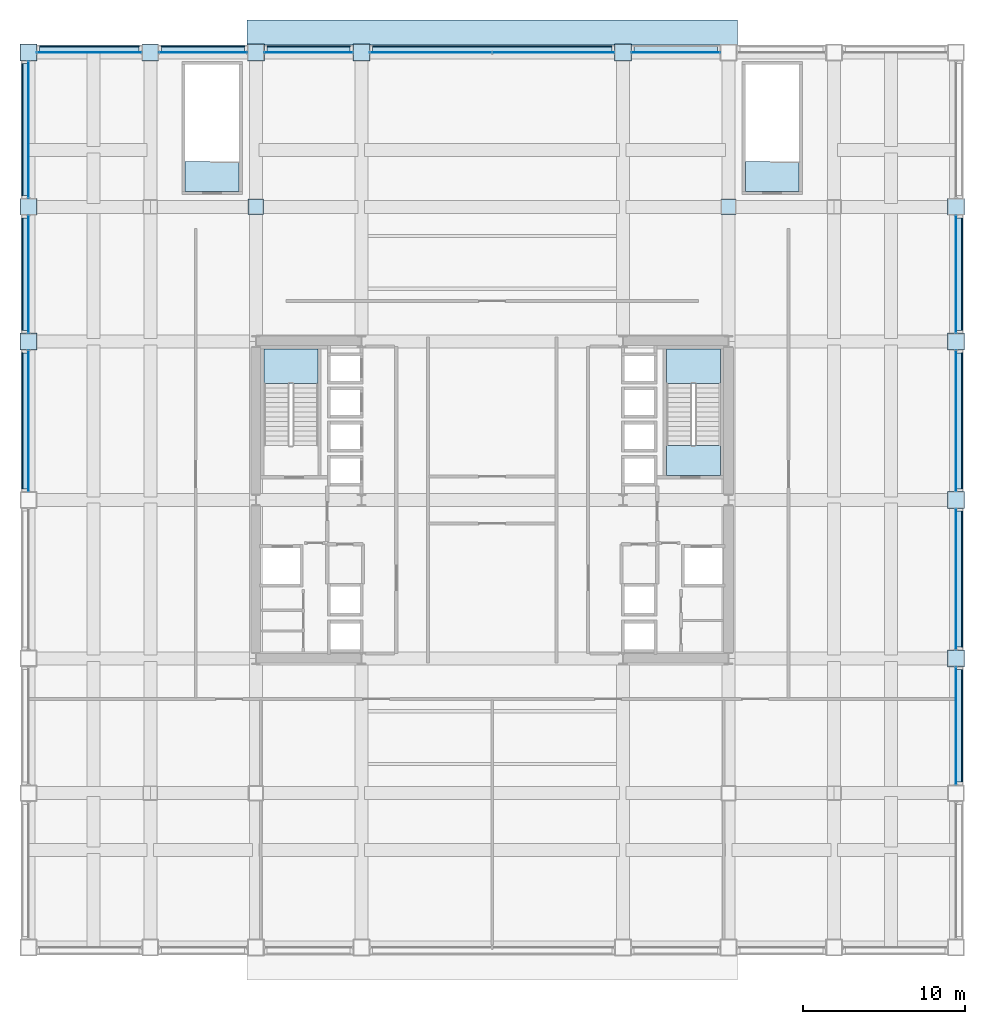
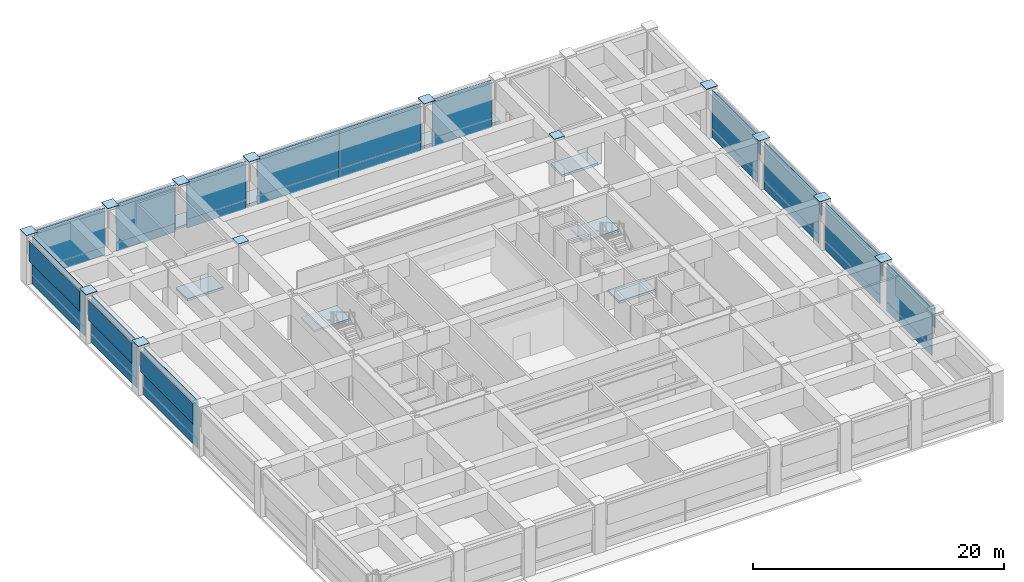
# One storey, part 25 of 30: 62 plates, 6 slabs, 14 elements without a shape of their own.
"""IFC4 building model written with IfcOpenShell, lengths in metres."""

import ifcopenshell
import ifcopenshell.guid

model = None  # the IFC model being written
_history = None  # IfcOwnerHistory: only IFC2X3 demands one
_inside = {}  # id of a spatial element -> (the spatial element, [elements in it])
_under = {}  # id of a project, library or spatial element -> (it, [spatial elements below it])
_declared = {}  # id of a project -> (the project, [libraries it declares])
_typed = {}  # id of a type object -> (the type object, [elements of that type])
_made_of = {}  # id of a material, layer set ... -> (it, [elements and type objects made of it])


def new_model(schema):
    """Start an empty IFC model of exactly this schema.

    Asked for "IFC4X3", IfcOpenShell would pick the latest addendum, in which some entities
    have other attributes; the version numbers below select the first issue.
    IFC2X3 requires an IfcOwnerHistory on every rooted entity: one is made here for all.
    """
    global model, _history
    if schema == "IFC4X3":
        model = ifcopenshell.file(schema_version=(4, 3, 0, 0))
    else:
        model = ifcopenshell.file(schema=schema)
    _inside.clear()
    _under.clear()
    _declared.clear()
    _typed.clear()
    _made_of.clear()
    _history = None
    if model.schema == "IFC2X3":
        org = make("IfcOrganization", Name="unknown")
        user = make(
            "IfcPersonAndOrganization",
            ThePerson=make("IfcPerson", FamilyName="unknown"),
            TheOrganization=org,
        )
        app = make(
            "IfcApplication",
            ApplicationDeveloper=org,
            Version="unknown",
            ApplicationFullName="unknown",
            ApplicationIdentifier="unknown",
        )
        _history = make(
            "IfcOwnerHistory",
            OwningUser=user,
            OwningApplication=app,
            ChangeAction="ADDED",
            CreationDate=0,
        )
    return model


def make(cls, **values):
    """One entity of the class cls with the attributes given. An attribute that is None is left unset."""
    return model.create_entity(
        cls, **{name: value for name, value in values.items() if value is not None}
    )


def rooted(cls, **values):
    """An entity with a GlobalId (a new one), such as an element, a storey or a relation."""
    return make(cls, GlobalId=ifcopenshell.guid.new(), OwnerHistory=_history, **values)


def si_unit(unit_type, name, prefix=None):
    """IfcSIUnit, for example si_unit("LENGTHUNIT", "METRE", prefix="MILLI")."""
    return make("IfcSIUnit", UnitType=unit_type, Prefix=prefix, Name=name)


def assignment(units):
    """IfcUnitAssignment: the units of a project."""
    return None if units is None else make("IfcUnitAssignment", Units=units)


def point(xyz):
    """IfcCartesianPoint."""
    return None if xyz is None else make("IfcCartesianPoint", Coordinates=xyz)


def direction(xyz):
    """IfcDirection."""
    return None if xyz is None else make("IfcDirection", DirectionRatios=xyz)


def frame(location, z_axis=None, x_axis=None):
    """IfcAxis2Placement3D, a coordinate frame: its origin and axes. An axis left out is left unset."""
    return make(
        "IfcAxis2Placement3D",
        Location=point(location),
        Axis=direction(z_axis),
        RefDirection=direction(x_axis),
    )


def frame_2d(location, x_axis=None):
    """IfcAxis2Placement2D, a coordinate frame in the plane: its origin and x axis."""
    return make(
        "IfcAxis2Placement2D", Location=point(location), RefDirection=direction(x_axis)
    )


def origin():
    """The frame at (0, 0, 0) with its axes left unset."""
    return frame((0.0, 0.0, 0.0))


def origin_2d():
    """The frame at (0, 0) in the plane with its x axis left unset."""
    return frame_2d((0.0, 0.0))


def place(relative_to, where):
    """IfcLocalPlacement: puts the frame where relative to a parent placement (None: the world)."""
    return make(
        "IfcLocalPlacement", PlacementRelTo=relative_to, RelativePlacement=where
    )


def context(
    kind, dimensions, precision=None, world=None, true_north=None, identifier=None
):
    """IfcGeometricRepresentationContext, for example the 3D "Model" context."""
    return make(
        "IfcGeometricRepresentationContext",
        ContextIdentifier=identifier,
        ContextType=kind,
        CoordinateSpaceDimension=dimensions,
        Precision=precision,
        WorldCoordinateSystem=world,
        TrueNorth=true_north,
    )


def subcontext(parent, identifier, kind, view, scale=None):
    """IfcGeometricRepresentationSubContext, for example "Body" below "Model"."""
    return make(
        "IfcGeometricRepresentationSubContext",
        ContextIdentifier=identifier,
        ContextType=kind,
        ParentContext=parent,
        TargetScale=scale,
        TargetView=view,
    )


def project(units=None, contexts=None):
    """IfcProject with its units and contexts."""
    return rooted(
        "IfcProject",
        Name="project",
        RepresentationContexts=contexts,
        UnitsInContext=assignment(units),
    )


def spatial(cls, under=None, at=None, **own):
    """A site, building, storey or space (cls), placed at a placement, below another one or the project."""
    s = rooted(cls, ObjectPlacement=at, **own)
    if under is not None:
        _under.setdefault(under.id(), (under, []))[1].append(s)
    return s


def polyline(points):
    """IfcPolyline through the points."""
    return make("IfcPolyline", Points=[point(p) for p in points])


def profile(cls, at=None, kind="AREA", **sizes):
    """A parametric profile (cls). Its sizes go by their IFC names, for example OverallWidth=200.0."""
    return make(cls, ProfileType=kind, Position=at, **sizes)


def rectangle(**sizes):
    """IfcRectangleProfileDef."""
    return profile("IfcRectangleProfileDef", **sizes)


def outline(outer, holes=None, kind="AREA"):
    """IfcArbitraryClosedProfileDef: a profile drawn as a closed curve; with holes, ...WithVoids."""
    if holes is None:
        return make("IfcArbitraryClosedProfileDef", ProfileType=kind, OuterCurve=outer)
    return make(
        "IfcArbitraryProfileDefWithVoids",
        ProfileType=kind,
        OuterCurve=outer,
        InnerCurves=holes,
    )


def extrude(swept, where, along, depth):
    """IfcExtrudedAreaSolid: the profile swept, set in the frame where, extruded along a direction by depth."""
    return make(
        "IfcExtrudedAreaSolid",
        SweptArea=swept,
        Position=where,
        ExtrudedDirection=direction(along),
        Depth=depth,
    )


def shape(context_of_items, identifier, shape_type, items):
    """IfcShapeRepresentation: the items that make up one representation, for example the "Body"."""
    return make(
        "IfcShapeRepresentation",
        ContextOfItems=context_of_items,
        RepresentationIdentifier=identifier,
        RepresentationType=shape_type,
        Items=items,
    )


def material(Name=None, Category=None):
    """IfcMaterial."""
    return make("IfcMaterial", Name=Name, Category=Category)


def layer(
    of_material, thickness, ventilated=None, Name=None, Category=None, Priority=None
):
    """IfcMaterialLayer: one layer of a wall or slab, of a material (None: an air gap)."""
    return make(
        "IfcMaterialLayer",
        Material=of_material,
        LayerThickness=thickness,
        IsVentilated=ventilated,
        Name=Name,
        Category=Category,
        Priority=Priority,
    )


def layer_set(layers, Name=None):
    """IfcMaterialLayerSet."""
    return make("IfcMaterialLayerSet", MaterialLayers=layers, LayerSetName=Name)


def made_of(thing, what):
    """Note that an element or type object is made of a material, layer set ...; save() writes the relation."""
    if what is not None:
        _made_of.setdefault(what.id(), (what, []))[1].append(thing)
    return thing


def type_object(cls, material=None, **own):
    """A type object (cls), such as IfcWallType, which elements share."""
    return made_of(rooted(cls, **own), material)


def element(
    cls,
    number,
    at=None,
    inside=None,
    cuts=None,
    type_object=None,
    material=None,
    context=None,
    identifier="Body",
    shape_type=None,
    held_by="IfcProductDefinitionShape",
    body=None,
    shapes=None,
    **own,
):
    """One element of the class cls, such as IfcWall. Its Tag is "e" and its number.

    at: its placement. inside: the storey or other place that contains it. cuts: it is an
    opening in that element (IfcRelVoidsElement). A single representation is given by context,
    identifier, shape_type and body (its items); several are given by shapes. held_by: the class
    of the entity that holds the representations. save() writes the other relations.
    """
    e = rooted(cls, Tag="e%d" % number, ObjectPlacement=at, **own)
    if body is not None:
        shapes = [shape(context, identifier, shape_type, body)]
    if shapes is not None:
        e.Representation = make(held_by, Representations=shapes)
    if inside is not None:
        _inside.setdefault(inside.id(), (inside, []))[1].append(e)
    if cuts is not None:
        rooted(
            "IfcRelVoidsElement", RelatingBuildingElement=cuts, RelatedOpeningElement=e
        )
    if type_object is not None:
        _typed.setdefault(type_object.id(), (type_object, []))[1].append(e)
    return made_of(e, material)


def aggregate(whole, parts):
    """IfcRelAggregates: a whole, such as a stair, and the parts it consists of."""
    return rooted("IfcRelAggregates", RelatingObject=whole, RelatedObjects=parts)


def save(model, path):
    """Write the relations noted so far, then the file.

    IfcRelAggregates (storeys below a building ...), IfcRelContainedInSpatialStructure (elements
    in a storey), IfcRelDefinesByType, IfcRelAssociatesMaterial and IfcRelDeclares: one each for
    every whole, place, type object, material and project.
    """
    for whole, parts in _under.values():
        aggregate(whole, parts)
    for where, things in _inside.values():
        rooted(
            "IfcRelContainedInSpatialStructure",
            RelatedElements=things,
            RelatingStructure=where,
        )
    for kind, things in _typed.values():
        rooted("IfcRelDefinesByType", RelatedObjects=things, RelatingType=kind)
    for what, things in _made_of.values():
        rooted("IfcRelAssociatesMaterial", RelatedObjects=things, RelatingMaterial=what)
    for by, libraries in _declared.values():
        rooted("IfcRelDeclares", RelatingContext=by, RelatedDefinitions=libraries)
    model.write(path)


model = new_model("IFC4")

# Units and contexts
model_context = context("Model", 3, precision=1e-05, world=origin(), true_north=direction((0.0, 1.0)))
body_context = subcontext(model_context, "Body", "Model", "MODEL_VIEW")
ifc_project = project(units=[si_unit("LENGTHUNIT", "METRE"), si_unit("AREAUNIT", "SQUARE_METRE"), si_unit("VOLUMEUNIT", "CUBIC_METRE"), si_unit("PLANEANGLEUNIT", "RADIAN"), si_unit("MASSUNIT", "GRAM", prefix="KILO")], contexts=[model_context])

# Site, building, storey
site_placement = place(None, origin())
site = spatial("IfcSite", under=ifc_project, at=site_placement, CompositionType="ELEMENT")
building_placement = place(site_placement, origin())
building = spatial("IfcBuilding", under=site, at=building_placement, Name="Brelmoor Portico Tower", CompositionType="ELEMENT")
storey_placement = place(building_placement, frame((0.0, 0.0, 19.199951171875)))
storey = spatial("IfcBuildingStorey", under=building, at=storey_placement, Name="L04", CompositionType="ELEMENT", Elevation=19.199951171875)

# Plates
ifc_material_1 = material(Name="Steel Q355B", Category="steel")
ifc_layer_1 = layer(ifc_material_1, 0.044921875)
ifc_layer_set_1 = layer_set([ifc_layer_1], Name="Steel Q355B")
plate_type_1 = type_object("IfcPlateType", Name="PT-CAP-650", PredefinedType="SHEET", material=ifc_layer_set_1)
for number, where, z_axis, x_axis, name in (
    (1, (-14.550048828125, 18.050048828125, 4.800048828125), (0.0, 0.0, 1.0), (1.0, 0.0, 0.0), "L04 Podium Pier Column PP-NW2 Welded Head Cap Plate"),
    (2, (14.550048828125, 18.050048828125, 4.800048828125), (0.0, 0.0, 1.0), (1.0, 0.0, 0.0), "L04 Podium Pier Column PP-NE1 Welded Head Cap Plate"),
):
    element("IfcPlate", number, at=place(storey_placement, frame(where, z_axis=z_axis, x_axis=x_axis)), inside=storey, type_object=plate_type_1, Name=name, PredefinedType="SHEET", context=body_context, shape_type="SweptSolid", body=[
        extrude(rectangle(XDim=0.93994140625, YDim=0.93994140625, at=origin_2d()), origin(), (0.0, 0.0, 1.0), 0.0400390625),
    ])
for number, where, z_axis, x_axis, name in (
    (3, (-28.550048828125, 27.550048828125, 4.800048828125), (0.0, 0.0, 1.0), (1.0, 0.0, 0.0), "L04 Perimeter Mega-Column PN09 Welded Head Cap Plate"),
    (4, (-21.050048828125, 27.550048828125, 4.800048828125), (0.0, 0.0, 1.0), (1.0, 0.0, 0.0), "L04 Perimeter Mega-Column PN10 Welded Head Cap Plate"),
    (5, (-14.550048828125, 27.550048828125, 4.800048828125), (0.0, 0.0, 1.0), (1.0, 0.0, 0.0), "L04 Perimeter Mega-Column PN11 Welded Head Cap Plate"),
    (6, (-8.050048828125, 27.550048828125, 4.800048828125), (0.0, 0.0, 1.0), (1.0, 0.0, 0.0), "L04 Perimeter Mega-Column PN12 Welded Head Cap Plate"),
    (7, (8.050048828125, 27.550048828125, 4.800048828125), (0.0, 0.0, 1.0), (1.0, 0.0, 0.0), "L04 Perimeter Mega-Column PN13 Welded Head Cap Plate"),
    (8, (28.550048828125, -9.75, 4.800048828125), (0.0, 0.0, 1.0), (0.0, 1.0, 0.0), "L04 Perimeter Mega-Column PE20 Welded Head Cap Plate"),
    (9, (28.550048828125, 0.0, 4.800048828125), (0.0, 0.0, 1.0), (0.0, 1.0, 0.0), "L04 Perimeter Mega-Column PE22 Welded Head Cap Plate"),
    (10, (-28.550048828125, 9.75, 4.800048828125), (0.0, 0.0, 1.0), (0.0, 1.0, 0.0), "L04 Perimeter Mega-Column PW23 Welded Head Cap Plate"),
    (11, (28.550048828125, 9.75, 4.800048828125), (0.0, 0.0, 1.0), (0.0, 1.0, 0.0), "L04 Perimeter Mega-Column PE24 Welded Head Cap Plate"),
    (12, (-28.550048828125, 18.050048828125, 4.800048828125), (0.0, 0.0, 1.0), (0.0, 1.0, 0.0), "L04 Perimeter Mega-Column PW25 Welded Head Cap Plate"),
    (13, (28.550048828125, 18.050048828125, 4.800048828125), (0.0, 0.0, 1.0), (0.0, 1.0, 0.0), "L04 Perimeter Mega-Column PE26 Welded Head Cap Plate"),
):
    element("IfcPlate", number, at=place(storey_placement, frame(where, z_axis=z_axis, x_axis=x_axis)), inside=storey, type_object=plate_type_1, Name=name, PredefinedType="SHEET", context=body_context, shape_type="SweptSolid", body=[
        extrude(rectangle(XDim=1.0400390625, YDim=1.0400390625, at=origin_2d()), origin(), (0.0, 0.0, 1.0), 0.0400390625),
    ])

# Curtain wall, plate
ifc_material_2 = material(Name="Anodised Aluminium Alloy 6063-T6", Category="aluminium")
ifc_layer_2 = layer(ifc_material_2, 0.179931640625)
ifc_layer_set_2 = layer_set([ifc_layer_2], Name="Anodised Aluminium Alloy 6063-T6")
curtain_wall_type = type_object("IfcCurtainWallType", Name="CW-PODIUM-ARCH", PredefinedType="NOTDEFINED", material=ifc_layer_set_2)
curtain_wall_1_placement = place(storey_placement, origin())
curtain_wall_1 = element("IfcCurtainWall", 14, at=curtain_wall_1_placement, inside=storey, type_object=curtain_wall_type, Name="L04 Curtain Wall CW-L04-02-1", PredefinedType="NOTDEFINED")
ifc_material_3 = material(Name="Double-Silver Low-E Insulated Glazing", Category="glass")
ifc_layer_3 = layer(ifc_material_3, 0.035888671875)
ifc_layer_set_3 = layer_set([ifc_layer_3], Name="Double-Silver Low-E Insulated Glazing")
plate_type_2 = type_object("IfcPlateType", Name="PT-CW-GLASS", PredefinedType="CURTAIN_PANEL", material=ifc_layer_set_3)
plate_1_placement = place(storey_placement, frame((-24.800048828125, 27.550048828125, 0.85009765625), z_axis=(0.0, 0.0, 1.0), x_axis=(1.0, 0.0, 0.0)))
plate_1 = element("IfcPlate", 15, at=plate_1_placement, type_object=plate_type_2, Name="CW-L04-02-1 Vision Glass Panel 00", PredefinedType="CURTAIN_PANEL", context=body_context, shape_type="SweptSolid", body=[
    extrude(rectangle(XDim=6.449951171875, YDim=0.035888671875, at=origin_2d()), origin(), (0.0, 0.0, 1.0), 3.75),
])

curtain_wall_2_placement = place(storey_placement, origin())
curtain_wall_2 = element("IfcCurtainWall", 16, at=curtain_wall_2_placement, inside=storey, type_object=curtain_wall_type, Name="L04 Curtain Wall CW-L04-02-2", PredefinedType="NOTDEFINED")
plate_2_placement = place(storey_placement, frame((-17.800048828125, 27.550048828125, 0.85009765625), z_axis=(0.0, 0.0, 1.0), x_axis=(1.0, 0.0, 0.0)))
plate_2 = element("IfcPlate", 17, at=plate_2_placement, type_object=plate_type_2, Name="CW-L04-02-2 Vision Glass Panel 00", PredefinedType="CURTAIN_PANEL", context=body_context, shape_type="SweptSolid", body=[
    extrude(rectangle(XDim=5.449951171875, YDim=0.035888671875, at=origin_2d()), origin(), (0.0, 0.0, 1.0), 3.75),
])

curtain_wall_3_placement = place(storey_placement, origin())
curtain_wall_3 = element("IfcCurtainWall", 18, at=curtain_wall_3_placement, inside=storey, type_object=curtain_wall_type, Name="L04 Curtain Wall CW-L04-02-3", PredefinedType="NOTDEFINED")
plate_3_placement = place(storey_placement, frame((-11.300048828125, 27.550048828125, 0.85009765625), z_axis=(0.0, 0.0, 1.0), x_axis=(1.0, 0.0, 0.0)))
plate_3 = element("IfcPlate", 19, at=plate_3_placement, type_object=plate_type_2, Name="CW-L04-02-3 Vision Glass Panel 00", PredefinedType="CURTAIN_PANEL", context=body_context, shape_type="SweptSolid", body=[
    extrude(rectangle(XDim=5.449951171875, YDim=0.035888671875, at=origin_2d()), origin(), (0.0, 0.0, 1.0), 3.75),
])

# Curtain wall, plates
curtain_wall_4_placement = place(storey_placement, origin())
curtain_wall_4 = element("IfcCurtainWall", 20, at=curtain_wall_4_placement, inside=storey, type_object=curtain_wall_type, Name="L04 Curtain Wall CW-L04-02-4", PredefinedType="NOTDEFINED")
plate_4_placement = place(storey_placement, frame((-3.77001953125, 27.550048828125, 0.85009765625), z_axis=(0.0, 0.0, 1.0), x_axis=(1.0, 0.0, 0.0)))
plate_4 = element("IfcPlate", 21, at=plate_4_placement, type_object=plate_type_2, Name="CW-L04-02-4 Vision Glass Panel 00", PredefinedType="CURTAIN_PANEL", context=body_context, shape_type="SweptSolid", body=[
    extrude(rectangle(XDim=7.510009765625, YDim=0.035888671875, at=origin_2d()), origin(), (0.0, 0.0, 1.0), 3.75),
])
plate_5_placement = place(storey_placement, frame((3.77001953125, 27.550048828125, 0.85009765625), z_axis=(0.0, 0.0, 1.0), x_axis=(1.0, 0.0, 0.0)))
plate_5 = element("IfcPlate", 22, at=plate_5_placement, type_object=plate_type_2, Name="CW-L04-02-4 Vision Glass Panel 01", PredefinedType="CURTAIN_PANEL", context=body_context, shape_type="SweptSolid", body=[
    extrude(rectangle(XDim=7.510009765625, YDim=0.035888671875, at=origin_2d()), origin(), (0.0, 0.0, 1.0), 3.75),
])

# Curtain wall, plate
curtain_wall_5_placement = place(storey_placement, origin())
curtain_wall_5 = element("IfcCurtainWall", 23, at=curtain_wall_5_placement, inside=storey, type_object=curtain_wall_type, Name="L04 Curtain Wall CW-L04-02-5", PredefinedType="NOTDEFINED")
plate_6_placement = place(storey_placement, frame((11.300048828125, 27.550048828125, 0.85009765625), z_axis=(0.0, 0.0, 1.0), x_axis=(1.0, 0.0, 0.0)))
plate_6 = element("IfcPlate", 24, at=plate_6_placement, type_object=plate_type_2, Name="CW-L04-02-5 Vision Glass Panel 00", PredefinedType="CURTAIN_PANEL", context=body_context, shape_type="SweptSolid", body=[
    extrude(rectangle(XDim=5.449951171875, YDim=0.035888671875, at=origin_2d()), origin(), (0.0, 0.0, 1.0), 3.75),
])

curtain_wall_6_placement = place(storey_placement, origin())
curtain_wall_6 = element("IfcCurtainWall", 25, at=curtain_wall_6_placement, inside=storey, type_object=curtain_wall_type, Name="L04 Curtain Wall CW-L04-03-4", PredefinedType="NOTDEFINED")
plate_7_placement = place(storey_placement, frame((-28.550048828125, 4.875, 0.85009765625), z_axis=(0.0, 0.0, 1.0), x_axis=(0.0, 1.0, 0.0)))
plate_7 = element("IfcPlate", 26, at=plate_7_placement, type_object=plate_type_2, Name="CW-L04-03-4 Vision Glass Panel 00", PredefinedType="CURTAIN_PANEL", context=body_context, shape_type="SweptSolid", body=[
    extrude(rectangle(XDim=8.699951171875, YDim=0.035888671875, at=origin_2d()), origin(), (0.0, 0.0, 1.0), 3.75),
])

curtain_wall_7_placement = place(storey_placement, origin())
curtain_wall_7 = element("IfcCurtainWall", 27, at=curtain_wall_7_placement, inside=storey, type_object=curtain_wall_type, Name="L04 Curtain Wall CW-L04-03-5", PredefinedType="NOTDEFINED")
plate_8_placement = place(storey_placement, frame((-28.550048828125, 13.89990234375, 0.85009765625), z_axis=(0.0, 0.0, 1.0), x_axis=(0.0, 1.0, 0.0)))
plate_8 = element("IfcPlate", 28, at=plate_8_placement, type_object=plate_type_2, Name="CW-L04-03-5 Vision Glass Panel 00", PredefinedType="CURTAIN_PANEL", context=body_context, shape_type="SweptSolid", body=[
    extrude(rectangle(XDim=7.25, YDim=0.035888671875, at=origin_2d()), origin(), (0.0, 0.0, 1.0), 3.75),
])

curtain_wall_8_placement = place(storey_placement, origin())
curtain_wall_8 = element("IfcCurtainWall", 29, at=curtain_wall_8_placement, inside=storey, type_object=curtain_wall_type, Name="L04 Curtain Wall CW-L04-03-6", PredefinedType="NOTDEFINED")
plate_9_placement = place(storey_placement, frame((-28.550048828125, 22.800048828125, 0.85009765625), z_axis=(0.0, 0.0, 1.0), x_axis=(0.0, 1.0, 0.0)))
plate_9 = element("IfcPlate", 30, at=plate_9_placement, type_object=plate_type_2, Name="CW-L04-03-6 Vision Glass Panel 00", PredefinedType="CURTAIN_PANEL", context=body_context, shape_type="SweptSolid", body=[
    extrude(rectangle(XDim=8.449951171875, YDim=0.035888671875, at=origin_2d()), origin(), (0.0, 0.0, 1.0), 3.75),
])

curtain_wall_9_placement = place(storey_placement, origin())
curtain_wall_9 = element("IfcCurtainWall", 31, at=curtain_wall_9_placement, inside=storey, type_object=curtain_wall_type, Name="L04 Curtain Wall CW-L04-04-2", PredefinedType="NOTDEFINED")
plate_10_placement = place(storey_placement, frame((28.550048828125, -13.89990234375, 0.85009765625), z_axis=(0.0, 0.0, 1.0), x_axis=(0.0, 1.0, 0.0)))
plate_10 = element("IfcPlate", 32, at=plate_10_placement, type_object=plate_type_2, Name="CW-L04-04-2 Vision Glass Panel 00", PredefinedType="CURTAIN_PANEL", context=body_context, shape_type="SweptSolid", body=[
    extrude(rectangle(XDim=7.25, YDim=0.035888671875, at=origin_2d()), origin(), (0.0, 0.0, 1.0), 3.75),
])

curtain_wall_10_placement = place(storey_placement, origin())
curtain_wall_10 = element("IfcCurtainWall", 33, at=curtain_wall_10_placement, inside=storey, type_object=curtain_wall_type, Name="L04 Curtain Wall CW-L04-04-3", PredefinedType="NOTDEFINED")
plate_11_placement = place(storey_placement, frame((28.550048828125, -4.875, 0.85009765625), z_axis=(0.0, 0.0, 1.0), x_axis=(0.0, 1.0, 0.0)))
plate_11 = element("IfcPlate", 34, at=plate_11_placement, type_object=plate_type_2, Name="CW-L04-04-3 Vision Glass Panel 00", PredefinedType="CURTAIN_PANEL", context=body_context, shape_type="SweptSolid", body=[
    extrude(rectangle(XDim=8.699951171875, YDim=0.035888671875, at=origin_2d()), origin(), (0.0, 0.0, 1.0), 3.75),
])

curtain_wall_11_placement = place(storey_placement, origin())
curtain_wall_11 = element("IfcCurtainWall", 35, at=curtain_wall_11_placement, inside=storey, type_object=curtain_wall_type, Name="L04 Curtain Wall CW-L04-04-4", PredefinedType="NOTDEFINED")
plate_12_placement = place(storey_placement, frame((28.550048828125, 4.875, 0.85009765625), z_axis=(0.0, 0.0, 1.0), x_axis=(0.0, 1.0, 0.0)))
plate_12 = element("IfcPlate", 36, at=plate_12_placement, type_object=plate_type_2, Name="CW-L04-04-4 Vision Glass Panel 00", PredefinedType="CURTAIN_PANEL", context=body_context, shape_type="SweptSolid", body=[
    extrude(rectangle(XDim=8.699951171875, YDim=0.035888671875, at=origin_2d()), origin(), (0.0, 0.0, 1.0), 3.75),
])

curtain_wall_12_placement = place(storey_placement, origin())
curtain_wall_12 = element("IfcCurtainWall", 37, at=curtain_wall_12_placement, inside=storey, type_object=curtain_wall_type, Name="L04 Curtain Wall CW-L04-04-5", PredefinedType="NOTDEFINED")
plate_13_placement = place(storey_placement, frame((28.550048828125, 13.89990234375, 0.85009765625), z_axis=(0.0, 0.0, 1.0), x_axis=(0.0, 1.0, 0.0)))
plate_13 = element("IfcPlate", 38, at=plate_13_placement, type_object=plate_type_2, Name="CW-L04-04-5 Vision Glass Panel 00", PredefinedType="CURTAIN_PANEL", context=body_context, shape_type="SweptSolid", body=[
    extrude(rectangle(XDim=7.25, YDim=0.035888671875, at=origin_2d()), origin(), (0.0, 0.0, 1.0), 3.75),
])

# Plate
ifc_material_4 = material(Name="Pale Champagne Anodised Aluminium Panel", Category="aluminium")
ifc_layer_4 = layer(ifc_material_4, 0.050048828125)
ifc_layer_set_4 = layer_set([ifc_layer_4], Name="Pale Champagne Anodised Aluminium Panel")
plate_type_3 = type_object("IfcPlateType", Name="PT-CW-SPANDREL", PredefinedType="SHEET", material=ifc_layer_set_4)
plate_14_placement = place(storey_placement, frame((-24.800048828125, 27.550048828125, 0.0), z_axis=(0.0, 0.0, 1.0), x_axis=(1.0, 0.0, 0.0)))
plate_14 = element("IfcPlate", 39, at=plate_14_placement, type_object=plate_type_3, Name="CW-L04-02-1 Spandrel Panel 00", PredefinedType="SHEET", context=body_context, shape_type="SweptSolid", body=[
    extrude(rectangle(XDim=6.449951171875, YDim=0.050048828125, at=origin_2d()), origin(), (0.0, 0.0, 1.0), 0.85009765625),
])

aggregate(curtain_wall_1, [plate_14, plate_1])

plate_15_placement = place(storey_placement, frame((-17.800048828125, 27.550048828125, 0.0), z_axis=(0.0, 0.0, 1.0), x_axis=(1.0, 0.0, 0.0)))
plate_15 = element("IfcPlate", 40, at=plate_15_placement, type_object=plate_type_3, Name="CW-L04-02-2 Spandrel Panel 00", PredefinedType="SHEET", context=body_context, shape_type="SweptSolid", body=[
    extrude(rectangle(XDim=5.449951171875, YDim=0.050048828125, at=origin_2d()), origin(), (0.0, 0.0, 1.0), 0.85009765625),
])

aggregate(curtain_wall_2, [plate_15, plate_2])

plate_16_placement = place(storey_placement, frame((-11.300048828125, 27.550048828125, 0.0), z_axis=(0.0, 0.0, 1.0), x_axis=(1.0, 0.0, 0.0)))
plate_16 = element("IfcPlate", 41, at=plate_16_placement, type_object=plate_type_3, Name="CW-L04-02-3 Spandrel Panel 00", PredefinedType="SHEET", context=body_context, shape_type="SweptSolid", body=[
    extrude(rectangle(XDim=5.449951171875, YDim=0.050048828125, at=origin_2d()), origin(), (0.0, 0.0, 1.0), 0.85009765625),
])

aggregate(curtain_wall_3, [plate_16, plate_3])

plate_17_placement = place(storey_placement, frame((-3.77001953125, 27.550048828125, 0.0), z_axis=(0.0, 0.0, 1.0), x_axis=(1.0, 0.0, 0.0)))
plate_17 = element("IfcPlate", 42, at=plate_17_placement, type_object=plate_type_3, Name="CW-L04-02-4 Spandrel Panel 00", PredefinedType="SHEET", context=body_context, shape_type="SweptSolid", body=[
    extrude(rectangle(XDim=7.510009765625, YDim=0.050048828125, at=origin_2d()), origin(), (0.0, 0.0, 1.0), 0.85009765625),
])

plate_18_placement = place(storey_placement, frame((3.77001953125, 27.550048828125, 0.0), z_axis=(0.0, 0.0, 1.0), x_axis=(1.0, 0.0, 0.0)))
plate_18 = element("IfcPlate", 43, at=plate_18_placement, type_object=plate_type_3, Name="CW-L04-02-4 Spandrel Panel 01", PredefinedType="SHEET", context=body_context, shape_type="SweptSolid", body=[
    extrude(rectangle(XDim=7.510009765625, YDim=0.050048828125, at=origin_2d()), origin(), (0.0, 0.0, 1.0), 0.85009765625),
])

aggregate(curtain_wall_4, [plate_17, plate_4, plate_18, plate_5])

plate_19_placement = place(storey_placement, frame((11.300048828125, 27.550048828125, 0.0), z_axis=(0.0, 0.0, 1.0), x_axis=(1.0, 0.0, 0.0)))
plate_19 = element("IfcPlate", 44, at=plate_19_placement, type_object=plate_type_3, Name="CW-L04-02-5 Spandrel Panel 00", PredefinedType="SHEET", context=body_context, shape_type="SweptSolid", body=[
    extrude(rectangle(XDim=5.449951171875, YDim=0.050048828125, at=origin_2d()), origin(), (0.0, 0.0, 1.0), 0.85009765625),
])

aggregate(curtain_wall_5, [plate_19, plate_6])

plate_20_placement = place(storey_placement, frame((-28.550048828125, 4.875, 0.0), z_axis=(0.0, 0.0, 1.0), x_axis=(0.0, 1.0, 0.0)))
plate_20 = element("IfcPlate", 45, at=plate_20_placement, type_object=plate_type_3, Name="CW-L04-03-4 Spandrel Panel 00", PredefinedType="SHEET", context=body_context, shape_type="SweptSolid", body=[
    extrude(rectangle(XDim=8.699951171875, YDim=0.050048828125, at=origin_2d()), origin(), (0.0, 0.0, 1.0), 0.85009765625),
])

aggregate(curtain_wall_6, [plate_20, plate_7])

plate_21_placement = place(storey_placement, frame((-28.550048828125, 13.89990234375, 0.0), z_axis=(0.0, 0.0, 1.0), x_axis=(0.0, 1.0, 0.0)))
plate_21 = element("IfcPlate", 46, at=plate_21_placement, type_object=plate_type_3, Name="CW-L04-03-5 Spandrel Panel 00", PredefinedType="SHEET", context=body_context, shape_type="SweptSolid", body=[
    extrude(rectangle(XDim=7.25, YDim=0.050048828125, at=origin_2d()), origin(), (0.0, 0.0, 1.0), 0.85009765625),
])

aggregate(curtain_wall_7, [plate_21, plate_8])

plate_22_placement = place(storey_placement, frame((-28.550048828125, 22.800048828125, 0.0), z_axis=(0.0, 0.0, 1.0), x_axis=(0.0, 1.0, 0.0)))
plate_22 = element("IfcPlate", 47, at=plate_22_placement, type_object=plate_type_3, Name="CW-L04-03-6 Spandrel Panel 00", PredefinedType="SHEET", context=body_context, shape_type="SweptSolid", body=[
    extrude(rectangle(XDim=8.449951171875, YDim=0.050048828125, at=origin_2d()), origin(), (0.0, 0.0, 1.0), 0.85009765625),
])

aggregate(curtain_wall_8, [plate_22, plate_9])

plate_23_placement = place(storey_placement, frame((28.550048828125, -13.89990234375, 0.0), z_axis=(0.0, 0.0, 1.0), x_axis=(0.0, 1.0, 0.0)))
plate_23 = element("IfcPlate", 48, at=plate_23_placement, type_object=plate_type_3, Name="CW-L04-04-2 Spandrel Panel 00", PredefinedType="SHEET", context=body_context, shape_type="SweptSolid", body=[
    extrude(rectangle(XDim=7.25, YDim=0.050048828125, at=origin_2d()), origin(), (0.0, 0.0, 1.0), 0.85009765625),
])

aggregate(curtain_wall_9, [plate_23, plate_10])

plate_24_placement = place(storey_placement, frame((28.550048828125, -4.875, 0.0), z_axis=(0.0, 0.0, 1.0), x_axis=(0.0, 1.0, 0.0)))
plate_24 = element("IfcPlate", 49, at=plate_24_placement, type_object=plate_type_3, Name="CW-L04-04-3 Spandrel Panel 00", PredefinedType="SHEET", context=body_context, shape_type="SweptSolid", body=[
    extrude(rectangle(XDim=8.699951171875, YDim=0.050048828125, at=origin_2d()), origin(), (0.0, 0.0, 1.0), 0.85009765625),
])

aggregate(curtain_wall_10, [plate_24, plate_11])

plate_25_placement = place(storey_placement, frame((28.550048828125, 4.875, 0.0), z_axis=(0.0, 0.0, 1.0), x_axis=(0.0, 1.0, 0.0)))
plate_25 = element("IfcPlate", 50, at=plate_25_placement, type_object=plate_type_3, Name="CW-L04-04-4 Spandrel Panel 00", PredefinedType="SHEET", context=body_context, shape_type="SweptSolid", body=[
    extrude(rectangle(XDim=8.699951171875, YDim=0.050048828125, at=origin_2d()), origin(), (0.0, 0.0, 1.0), 0.85009765625),
])

aggregate(curtain_wall_11, [plate_25, plate_12])

plate_26_placement = place(storey_placement, frame((28.550048828125, 13.89990234375, 0.0), z_axis=(0.0, 0.0, 1.0), x_axis=(0.0, 1.0, 0.0)))
plate_26 = element("IfcPlate", 51, at=plate_26_placement, type_object=plate_type_3, Name="CW-L04-04-5 Spandrel Panel 00", PredefinedType="SHEET", context=body_context, shape_type="SweptSolid", body=[
    extrude(rectangle(XDim=7.25, YDim=0.050048828125, at=origin_2d()), origin(), (0.0, 0.0, 1.0), 0.85009765625),
])

aggregate(curtain_wall_12, [plate_26, plate_13])

# Plates
ifc_material_5 = material(Name="Powder-Coated Aluminium Shuttered Jalousie Louvre", Category="aluminium")
ifc_layer_5 = layer(ifc_material_5, 0.06005859375)
ifc_layer_set_5 = layer_set([ifc_layer_5], Name="Powder-Coated Aluminium Shuttered Jalousie Louvre")
plate_type_4 = type_object("IfcPlateType", Name="PT-JALOUSIE-SHUTTER", PredefinedType="SHEET", material=ifc_layer_set_5)
plate_27_placement = place(storey_placement, frame((-24.800048828125, 27.929931640625, 2.4501953125), z_axis=(0.0, 0.0, 1.0), x_axis=(1.0, 0.0, 0.0)))
element("IfcPlate", 52, at=plate_27_placement, inside=storey, type_object=plate_type_4, Name="CW-L04-02-1 Perforated Jalousie Solar Screen", PredefinedType="SHEET", context=body_context, shape_type="SweptSolid", body=[
    extrude(rectangle(XDim=6.1201171875, YDim=0.06494140625, at=origin_2d()), origin(), (0.0, 0.0, 1.0), 1.949951171875),
])
for number, where, z_axis, x_axis, name in (
    (53, (-17.800048828125, 27.929931640625, 2.4501953125), (0.0, 0.0, 1.0), (1.0, 0.0, 0.0), "CW-L04-02-2 Perforated Jalousie Solar Screen"),
    (54, (-11.300048828125, 27.929931640625, 2.4501953125), (0.0, 0.0, 1.0), (1.0, 0.0, 0.0), "CW-L04-02-3 Perforated Jalousie Solar Screen"),
):
    element("IfcPlate", number, at=place(storey_placement, frame(where, z_axis=z_axis, x_axis=x_axis)), inside=storey, type_object=plate_type_4, Name=name, PredefinedType="SHEET", context=body_context, shape_type="SweptSolid", body=[
        extrude(rectangle(XDim=5.1201171875, YDim=0.06494140625, at=origin_2d()), origin(), (0.0, 0.0, 1.0), 1.949951171875),
    ])
plate_28_placement = place(storey_placement, frame((0.0, 27.929931640625, 2.4501953125), z_axis=(0.0, 0.0, 1.0), x_axis=(1.0, 0.0, 0.0)))
element("IfcPlate", 55, at=plate_28_placement, inside=storey, type_object=plate_type_4, Name="CW-L04-02-4 Perforated Jalousie Solar Screen", PredefinedType="SHEET", context=body_context, shape_type="SweptSolid", body=[
    extrude(rectangle(XDim=14.719970703125, YDim=0.06494140625, at=origin_2d()), origin(), (0.0, 0.0, 1.0), 1.949951171875),
])
plate_29_placement = place(storey_placement, frame((-28.929931640625, 4.875, 2.4501953125), z_axis=(0.0, 0.0, 1.0), x_axis=(0.0, 1.0, 0.0)))
element("IfcPlate", 56, at=plate_29_placement, inside=storey, type_object=plate_type_4, Name="CW-L04-03-4 Perforated Jalousie Solar Screen", PredefinedType="SHEET", context=body_context, shape_type="SweptSolid", body=[
    extrude(rectangle(XDim=8.3701171875, YDim=0.06494140625, at=origin_2d()), origin(), (0.0, 0.0, 1.0), 1.949951171875),
])
plate_30_placement = place(storey_placement, frame((-28.929931640625, 13.89990234375, 2.4501953125), z_axis=(0.0, 0.0, 1.0), x_axis=(0.0, 1.0, 0.0)))
element("IfcPlate", 57, at=plate_30_placement, inside=storey, type_object=plate_type_4, Name="CW-L04-03-5 Perforated Jalousie Solar Screen", PredefinedType="SHEET", context=body_context, shape_type="SweptSolid", body=[
    extrude(rectangle(XDim=6.919921875, YDim=0.06494140625, at=origin_2d()), origin(), (0.0, 0.0, 1.0), 1.949951171875),
])
plate_31_placement = place(storey_placement, frame((-28.929931640625, 22.800048828125, 2.4501953125), z_axis=(0.0, 0.0, 1.0), x_axis=(0.0, 1.0, 0.0)))
element("IfcPlate", 58, at=plate_31_placement, inside=storey, type_object=plate_type_4, Name="CW-L04-03-6 Perforated Jalousie Solar Screen", PredefinedType="SHEET", context=body_context, shape_type="SweptSolid", body=[
    extrude(rectangle(XDim=8.1201171875, YDim=0.06494140625, at=origin_2d()), origin(), (0.0, 0.0, 1.0), 1.949951171875),
])
plate_32_placement = place(storey_placement, frame((28.929931640625, -13.89990234375, 2.4501953125), z_axis=(0.0, 0.0, 1.0), x_axis=(0.0, 1.0, 0.0)))
element("IfcPlate", 59, at=plate_32_placement, inside=storey, type_object=plate_type_4, Name="CW-L04-04-2 Perforated Jalousie Solar Screen", PredefinedType="SHEET", context=body_context, shape_type="SweptSolid", body=[
    extrude(rectangle(XDim=6.919921875, YDim=0.06494140625, at=origin_2d()), origin(), (0.0, 0.0, 1.0), 1.949951171875),
])
for number, where, z_axis, x_axis, name in (
    (60, (28.929931640625, -4.875, 2.4501953125), (0.0, 0.0, 1.0), (0.0, 1.0, 0.0), "CW-L04-04-3 Perforated Jalousie Solar Screen"),
    (61, (28.929931640625, 4.875, 2.4501953125), (0.0, 0.0, 1.0), (0.0, 1.0, 0.0), "CW-L04-04-4 Perforated Jalousie Solar Screen"),
):
    element("IfcPlate", number, at=place(storey_placement, frame(where, z_axis=z_axis, x_axis=x_axis)), inside=storey, type_object=plate_type_4, Name=name, PredefinedType="SHEET", context=body_context, shape_type="SweptSolid", body=[
        extrude(rectangle(XDim=8.3701171875, YDim=0.06494140625, at=origin_2d()), origin(), (0.0, 0.0, 1.0), 1.949951171875),
    ])
plate_33_placement = place(storey_placement, frame((28.929931640625, 13.89990234375, 2.4501953125), z_axis=(0.0, 0.0, 1.0), x_axis=(0.0, 1.0, 0.0)))
element("IfcPlate", 62, at=plate_33_placement, inside=storey, type_object=plate_type_4, Name="CW-L04-04-5 Perforated Jalousie Solar Screen", PredefinedType="SHEET", context=body_context, shape_type="SweptSolid", body=[
    extrude(rectangle(XDim=6.919921875, YDim=0.06494140625, at=origin_2d()), origin(), (0.0, 0.0, 1.0), 1.949951171875),
])
ifc_material_6 = material(Name="Pale Champagne Perforated Aluminium Solar Screen", Category="aluminium")
ifc_layer_6 = layer(ifc_material_6, 0.054931640625)
ifc_layer_set_6 = layer_set([ifc_layer_6], Name="Pale Champagne Perforated Aluminium Solar Screen")
plate_type_5 = type_object("IfcPlateType", Name="PT-SOLAR-LOUVRE", PredefinedType="SHEET", material=ifc_layer_set_6)
plate_34_placement = place(storey_placement, frame((-24.800048828125, 27.760009765625, 4.2900390625), z_axis=(0.0, 0.0, 1.0), x_axis=(1.0, 0.0, 0.0)))
element("IfcPlate", 63, at=plate_34_placement, inside=storey, type_object=plate_type_5, Name="CW-L04-02-1 Caribbean Brise-Soleil Solar Screen", PredefinedType="SHEET", context=body_context, shape_type="SweptSolid", body=[
    extrude(rectangle(XDim=6.1201171875, YDim=0.4599609375, at=origin_2d()), origin(), (0.0, 0.0, 1.0), 0.139892578125),
])
for number, where, z_axis, x_axis, name in (
    (64, (-17.800048828125, 27.760009765625, 4.2900390625), (0.0, 0.0, 1.0), (1.0, 0.0, 0.0), "CW-L04-02-2 Caribbean Brise-Soleil Solar Screen"),
    (65, (-11.300048828125, 27.760009765625, 4.2900390625), (0.0, 0.0, 1.0), (1.0, 0.0, 0.0), "CW-L04-02-3 Caribbean Brise-Soleil Solar Screen"),
):
    element("IfcPlate", number, at=place(storey_placement, frame(where, z_axis=z_axis, x_axis=x_axis)), inside=storey, type_object=plate_type_5, Name=name, PredefinedType="SHEET", context=body_context, shape_type="SweptSolid", body=[
        extrude(rectangle(XDim=5.1201171875, YDim=0.4599609375, at=origin_2d()), origin(), (0.0, 0.0, 1.0), 0.139892578125),
    ])
plate_35_placement = place(storey_placement, frame((0.0, 27.760009765625, 4.2900390625), z_axis=(0.0, 0.0, 1.0), x_axis=(1.0, 0.0, 0.0)))
element("IfcPlate", 66, at=plate_35_placement, inside=storey, type_object=plate_type_5, Name="CW-L04-02-4 Caribbean Brise-Soleil Solar Screen", PredefinedType="SHEET", context=body_context, shape_type="SweptSolid", body=[
    extrude(rectangle(XDim=14.719970703125, YDim=0.4599609375, at=origin_2d()), origin(), (0.0, 0.0, 1.0), 0.139892578125),
])
plate_36_placement = place(storey_placement, frame((11.300048828125, 27.760009765625, 4.2900390625), z_axis=(0.0, 0.0, 1.0), x_axis=(1.0, 0.0, 0.0)))
element("IfcPlate", 67, at=plate_36_placement, inside=storey, type_object=plate_type_5, Name="CW-L04-02-5 Caribbean Brise-Soleil Solar Screen", PredefinedType="SHEET", context=body_context, shape_type="SweptSolid", body=[
    extrude(rectangle(XDim=5.1201171875, YDim=0.4599609375, at=origin_2d()), origin(), (0.0, 0.0, 1.0), 0.139892578125),
])
plate_37_placement = place(storey_placement, frame((-28.760009765625, 4.875, 4.2900390625), z_axis=(0.0, 0.0, 1.0), x_axis=(0.0, 1.0, 0.0)))
element("IfcPlate", 68, at=plate_37_placement, inside=storey, type_object=plate_type_5, Name="CW-L04-03-4 Caribbean Brise-Soleil Solar Screen", PredefinedType="SHEET", context=body_context, shape_type="SweptSolid", body=[
    extrude(rectangle(XDim=8.3701171875, YDim=0.4599609375, at=origin_2d()), origin(), (0.0, 0.0, 1.0), 0.139892578125),
])
plate_38_placement = place(storey_placement, frame((-28.760009765625, 13.89990234375, 4.2900390625), z_axis=(0.0, 0.0, 1.0), x_axis=(0.0, 1.0, 0.0)))
element("IfcPlate", 69, at=plate_38_placement, inside=storey, type_object=plate_type_5, Name="CW-L04-03-5 Caribbean Brise-Soleil Solar Screen", PredefinedType="SHEET", context=body_context, shape_type="SweptSolid", body=[
    extrude(rectangle(XDim=6.919921875, YDim=0.4599609375, at=origin_2d()), origin(), (0.0, 0.0, 1.0), 0.139892578125),
])
plate_39_placement = place(storey_placement, frame((-28.760009765625, 22.800048828125, 4.2900390625), z_axis=(0.0, 0.0, 1.0), x_axis=(0.0, 1.0, 0.0)))
element("IfcPlate", 70, at=plate_39_placement, inside=storey, type_object=plate_type_5, Name="CW-L04-03-6 Caribbean Brise-Soleil Solar Screen", PredefinedType="SHEET", context=body_context, shape_type="SweptSolid", body=[
    extrude(rectangle(XDim=8.1201171875, YDim=0.4599609375, at=origin_2d()), origin(), (0.0, 0.0, 1.0), 0.139892578125),
])
plate_40_placement = place(storey_placement, frame((28.760009765625, -13.89990234375, 4.2900390625), z_axis=(0.0, 0.0, 1.0), x_axis=(0.0, 1.0, 0.0)))
element("IfcPlate", 71, at=plate_40_placement, inside=storey, type_object=plate_type_5, Name="CW-L04-04-2 Caribbean Brise-Soleil Solar Screen", PredefinedType="SHEET", context=body_context, shape_type="SweptSolid", body=[
    extrude(rectangle(XDim=6.919921875, YDim=0.4599609375, at=origin_2d()), origin(), (0.0, 0.0, 1.0), 0.139892578125),
])
for number, where, z_axis, x_axis, name in (
    (72, (28.760009765625, -4.875, 4.2900390625), (0.0, 0.0, 1.0), (0.0, 1.0, 0.0), "CW-L04-04-3 Caribbean Brise-Soleil Solar Screen"),
    (73, (28.760009765625, 4.875, 4.2900390625), (0.0, 0.0, 1.0), (0.0, 1.0, 0.0), "CW-L04-04-4 Caribbean Brise-Soleil Solar Screen"),
):
    element("IfcPlate", number, at=place(storey_placement, frame(where, z_axis=z_axis, x_axis=x_axis)), inside=storey, type_object=plate_type_5, Name=name, PredefinedType="SHEET", context=body_context, shape_type="SweptSolid", body=[
        extrude(rectangle(XDim=8.3701171875, YDim=0.4599609375, at=origin_2d()), origin(), (0.0, 0.0, 1.0), 0.139892578125),
    ])
plate_41_placement = place(storey_placement, frame((28.760009765625, 13.89990234375, 4.2900390625), z_axis=(0.0, 0.0, 1.0), x_axis=(0.0, 1.0, 0.0)))
element("IfcPlate", 74, at=plate_41_placement, inside=storey, type_object=plate_type_5, Name="CW-L04-04-5 Caribbean Brise-Soleil Solar Screen", PredefinedType="SHEET", context=body_context, shape_type="SweptSolid", body=[
    extrude(rectangle(XDim=6.919921875, YDim=0.4599609375, at=origin_2d()), origin(), (0.0, 0.0, 1.0), 0.139892578125),
])

# Stair, slab
ifc_material_7 = material(Name="Concrete C40", Category="concrete")
stair_type_1 = type_object("IfcStairType", Name="ST-CORE-W", PredefinedType="HALF_TURN_STAIR", material=ifc_material_7)
stair_1_placement = place(storey_placement, origin())
stair_1 = element("IfcStair", 75, at=stair_1_placement, inside=storey, type_object=stair_type_1, Name="L04 Protected Core Exit Stair ST-W", PredefinedType="HALF_TURN_STAIR")
ifc_layer_7 = layer(ifc_material_7, 0.179931640625)
ifc_layer_set_7 = layer_set([ifc_layer_7], Name="Concrete C40")
slab_type_1 = type_object("IfcSlabType", Name="SL-LANDING-180", PredefinedType="LANDING", material=ifc_layer_set_7)
slab_1_placement = place(storey_placement, frame((0.0, 0.0, 2.199951171875)))
slab_1 = element("IfcSlab", 76, at=slab_1_placement, type_object=slab_type_1, Name="ST-W landing 1", PredefinedType="LANDING", context=body_context, shape_type="SweptSolid", body=[
    extrude(outline(polyline([(-10.72998046875, 7.18505859375), (-10.72998046875, 9.300048828125), (-14.050048828125, 9.300048828125), (-14.050048828125, 7.18505859375), (-10.72998046875, 7.18505859375)])), origin(), (0.0, 0.0, 1.0), 0.2001953125),
])
aggregate(stair_1, [slab_1])

stair_type_2 = type_object("IfcStairType", Name="ST-CORE-E", PredefinedType="HALF_TURN_STAIR", material=ifc_material_7)
stair_2_placement = place(storey_placement, origin())
stair_2 = element("IfcStair", 77, at=stair_2_placement, inside=storey, type_object=stair_type_2, Name="L04 Protected Core Exit Stair ST-E", PredefinedType="HALF_TURN_STAIR")
slab_2_placement = place(storey_placement, frame((0.0, 0.0, 2.199951171875)))
slab_2 = element("IfcSlab", 78, at=slab_2_placement, type_object=slab_type_1, Name="ST-E landing 1", PredefinedType="LANDING", context=body_context, shape_type="SweptSolid", body=[
    extrude(outline(polyline([(14.050048828125, 7.18505859375), (14.050048828125, 9.300048828125), (10.72998046875, 9.300048828125), (10.72998046875, 7.18505859375), (14.050048828125, 7.18505859375)])), origin(), (0.0, 0.0, 1.0), 0.2001953125),
])
aggregate(stair_2, [slab_2])

# Slabs
ifc_layer_8 = layer(ifc_material_7, 0.199951171875)
ifc_layer_set_8 = layer_set([ifc_layer_8], Name="Concrete C40")
slab_type_2 = type_object("IfcSlabType", Name="SL-ROOF-200", PredefinedType="ROOF", material=ifc_layer_set_8)
slab_3_placement = place(storey_placement, frame((0.0, 0.0, -0.199951171875)))
element("IfcSlab", 79, at=slab_3_placement, inside=storey, type_object=slab_type_2, Name="L04 Giant Arch Entrance Portal Hood Slab N", PredefinedType="ROOF", context=body_context, shape_type="SweptSolid", body=[
    extrude(outline(polyline([(-15.10009765625, 28.0), (15.10009765625, 28.0), (15.10009765625, 29.550048828125), (-15.10009765625, 29.550048828125), (-15.10009765625, 28.0)])), origin(), (0.0, 0.0, 1.0), 0.199951171875),
])
ifc_layer_9 = layer(ifc_material_7, 0.219970703125)
ifc_layer_set_9 = layer_set([ifc_layer_9], Name="Concrete C40")
slab_type_3 = type_object("IfcSlabType", Name="SL-STAIR-FL220", PredefinedType="LANDING", material=ifc_layer_set_9)
slab_4_placement = place(storey_placement, frame((0.0, 0.0, -0.219970703125)))
element("IfcSlab", 80, at=slab_4_placement, inside=storey, type_object=slab_type_3, Name="L04 ST-E Structural Floor Landing Slab", PredefinedType="LANDING", context=body_context, shape_type="SweptSolid", body=[
    extrude(outline(polyline([(14.050048828125, 1.5), (14.050048828125, 3.35009765625), (10.72998046875, 3.35009765625), (10.72998046875, 1.5), (14.050048828125, 1.5)])), origin(), (0.0, 0.0, 1.0), 0.219970703125),
])
slab_5_placement = place(storey_placement, frame((0.0, 0.0, -0.219970703125)))
element("IfcSlab", 81, at=slab_5_placement, inside=storey, type_object=slab_type_3, Name="L04 ST-P1 Structural Floor Landing Slab", PredefinedType="LANDING", context=body_context, shape_type="SweptSolid", body=[
    extrude(outline(polyline([(-15.580078125, 19.0), (-15.580078125, 20.85009765625), (-18.89990234375, 20.85009765625), (-18.89990234375, 19.0), (-15.580078125, 19.0)])), origin(), (0.0, 0.0, 1.0), 0.219970703125),
])
slab_6_placement = place(storey_placement, frame((0.0, 0.0, -0.219970703125)))
element("IfcSlab", 82, at=slab_6_placement, inside=storey, type_object=slab_type_3, Name="L04 ST-P2 Structural Floor Landing Slab", PredefinedType="LANDING", context=body_context, shape_type="SweptSolid", body=[
    extrude(outline(polyline([(18.89990234375, 19.0), (18.89990234375, 20.85009765625), (15.580078125, 20.85009765625), (15.580078125, 19.0), (18.89990234375, 19.0)])), origin(), (0.0, 0.0, 1.0), 0.219970703125),
])

save(model, "model.ifc")
